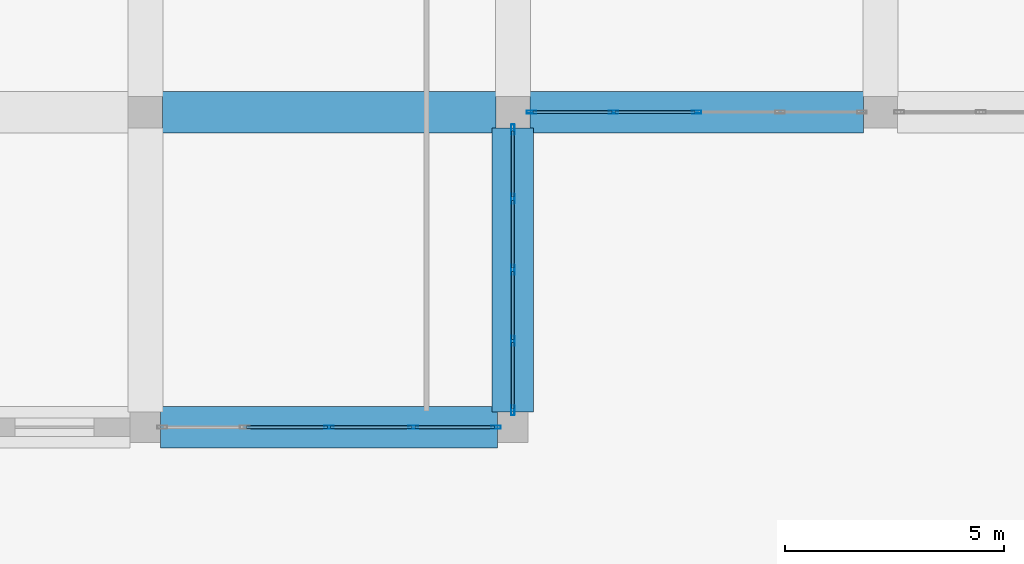
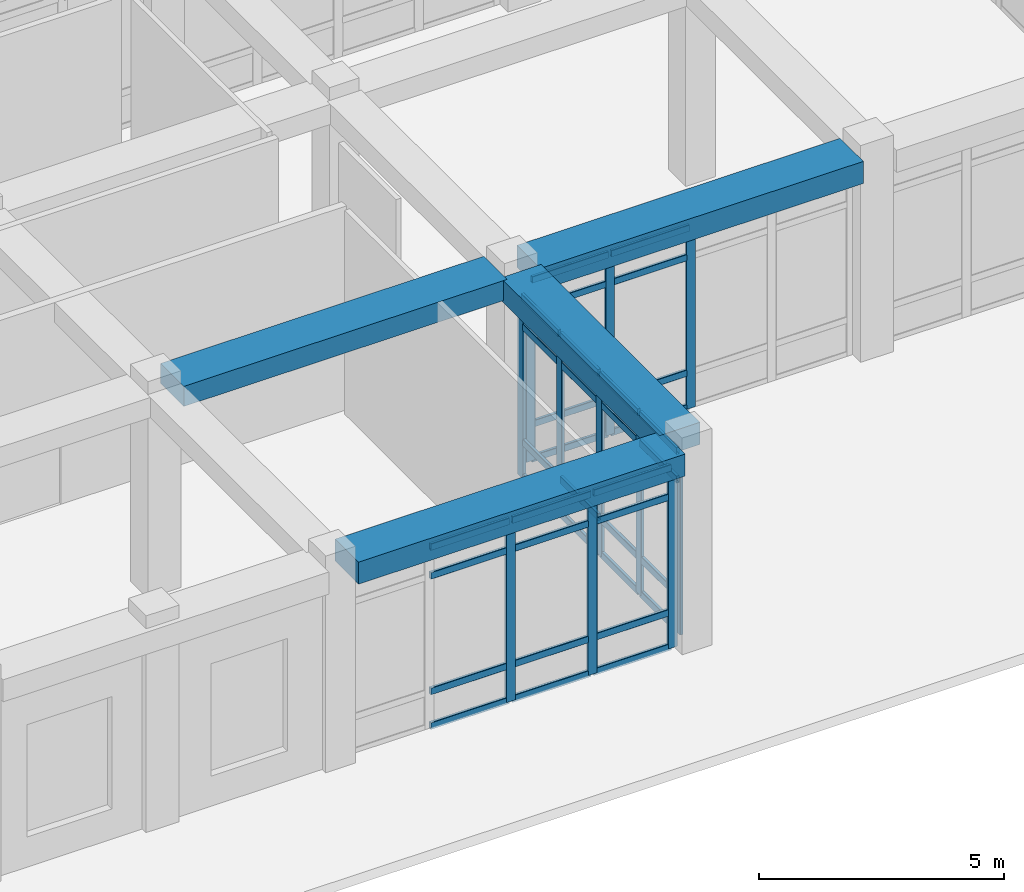
# One storey, part 44 of 84: 47 members, 4 beams, 3 elements without a shape of their own.
"""IFC4 building model written with IfcOpenShell, lengths in metres."""

from ifc_helpers import new_model, si_unit, derived_unit, direction, frame, origin, origin_2d, place, context, subcontext, project, spatial, rectangle, hollow_rectangle, extrude, material, material_profile, profile_set, type_object, element, aggregate, save


model = new_model("IFC4")

# Units and contexts
model_context = context("Model", 3, precision=1e-05, world=origin(), true_north=direction((0.0, 1.0)))
body_context = subcontext(model_context, "Body", "Model", "MODEL_VIEW")
ifc_project = project(units=[si_unit("LENGTHUNIT", "METRE"), si_unit("AREAUNIT", "SQUARE_METRE"), si_unit("VOLUMEUNIT", "CUBIC_METRE"), si_unit("PLANEANGLEUNIT", "RADIAN"), si_unit("MASSUNIT", "GRAM", prefix="KILO"), derived_unit("THERMALTRANSMITTANCEUNIT", [(si_unit("POWERUNIT", "WATT"), 1), (si_unit("LENGTHUNIT", "METRE"), -2), (si_unit("THERMODYNAMICTEMPERATUREUNIT", "KELVIN"), -1)])], contexts=[model_context])

# Site, building, storey
site_placement = place(None, origin())
site = spatial("IfcSite", under=ifc_project, at=site_placement, CompositionType="ELEMENT")
building_placement = place(site_placement, origin())
building = spatial("IfcBuilding", under=site, at=building_placement, Name="Veybourne Emporium", CompositionType="ELEMENT")
storey_placement = place(building_placement, origin())
storey = spatial("IfcBuildingStorey", under=building, at=storey_placement, Name="L00", CompositionType="ELEMENT", Elevation=0.0)

# Curtain wall, members
ifc_material_1 = material(Name="Patinated Architectural Bronze", Category="bronze")
curtain_wall_type_1 = type_object("IfcCurtainWallType", Name="CWSystem_CWS-17", PredefinedType="NOTDEFINED", material=ifc_material_1)
curtain_wall_1_placement = place(storey_placement, origin())
curtain_wall_1 = element("IfcCurtainWall", 1, at=curtain_wall_1_placement, inside=storey, type_object=curtain_wall_type_1, Name="L00 bronze glazed curtain wall CWS-17 (070)", PredefinedType="NOTDEFINED")
ifc_material_profile_1 = material_profile(ifc_material_1, hollow_rectangle(XDim=0.072021484375, YDim=0.22509765625, WallThickness=0.0048828125, InnerFilletRadius=0.007568359375, OuterFilletRadius=0.012451171875, at=origin_2d()), Name="CWM 72x225x5")
ifc_profile_set_1 = profile_set([ifc_material_profile_1], Name="Patinated Architectural Bronze")
member_type_1 = type_object("IfcMemberType", Name="CWMullion_CW-M1", PredefinedType="MULLION", material=ifc_profile_set_1)
member_1_placement = place(storey_placement, frame((150.81396484375, 0.0, 0.0), z_axis=(0.0, 0.0, 1.0), x_axis=(0.0, -1.0, 0.0)))
member_1 = element("IfcMember", 2, at=member_1_placement, type_object=member_type_1, Name="CWS-17 mullion 1", PredefinedType="MULLION", context=body_context, shape_type="SweptSolid", body=[
    extrude(hollow_rectangle(XDim=0.072021484375, YDim=0.22509765625, WallThickness=0.0048828125, InnerFilletRadius=0.007568359375, OuterFilletRadius=0.012451171875, at=origin_2d()), origin(), (0.0, 0.0, 1.0), 4.530029296875),
])
member_2_placement = place(storey_placement, frame((148.925048828125, 0.0, 0.0), z_axis=(0.0, 0.0, 1.0), x_axis=(0.0, -1.0, 0.0)))
member_2 = element("IfcMember", 3, at=member_2_placement, type_object=member_type_1, Name="CWS-17 mullion 2", PredefinedType="MULLION", context=body_context, shape_type="SweptSolid", body=[
    extrude(hollow_rectangle(XDim=0.072021484375, YDim=0.22509765625, WallThickness=0.0048828125, InnerFilletRadius=0.007568359375, OuterFilletRadius=0.012451171875, at=origin_2d()), origin(), (0.0, 0.0, 1.0), 4.530029296875),
])
member_3_placement = place(storey_placement, frame((147.0, 0.0, 0.0), z_axis=(0.0, 0.0, 1.0), x_axis=(0.0, -1.0, 0.0)))
member_3 = element("IfcMember", 4, at=member_3_placement, type_object=member_type_1, Name="CWS-17 mullion 3", PredefinedType="MULLION", context=body_context, shape_type="SweptSolid", body=[
    extrude(hollow_rectangle(XDim=0.072021484375, YDim=0.22509765625, WallThickness=0.0048828125, InnerFilletRadius=0.007568359375, OuterFilletRadius=0.012451171875, at=origin_2d()), origin(), (0.0, 0.0, 1.0), 4.530029296875),
])

curtain_wall_type_2 = type_object("IfcCurtainWallType", Name="CWSystem_CWS-18", PredefinedType="NOTDEFINED", material=ifc_material_1)
curtain_wall_2_placement = place(storey_placement, origin())
curtain_wall_2 = element("IfcCurtainWall", 5, at=curtain_wall_2_placement, inside=storey, type_object=curtain_wall_type_2, Name="L00 bronze glazed curtain wall CWS-18 (071)", PredefinedType="NOTDEFINED")
ifc_material_profile_2 = material_profile(ifc_material_1, hollow_rectangle(XDim=0.074951171875, YDim=0.22998046875, WallThickness=0.0048828125, InnerFilletRadius=0.007568359375, OuterFilletRadius=0.012451171875, at=origin_2d()), Name="CWM 75x230x5")
ifc_profile_set_2 = profile_set([ifc_material_profile_2], Name="Patinated Architectural Bronze")
member_type_2 = type_object("IfcMemberType", Name="CWMullion_CW-M2", PredefinedType="MULLION", material=ifc_profile_set_2)
member_4_placement = place(storey_placement, frame((151.199951171875, 6.802490234375, 0.0), z_axis=(0.0, 0.0, 1.0), x_axis=(1.0, 0.0, 0.0)))
member_4 = element("IfcMember", 6, at=member_4_placement, type_object=member_type_2, Name="CWS-18 mullion 1", PredefinedType="MULLION", context=body_context, shape_type="SweptSolid", body=[
    extrude(hollow_rectangle(XDim=0.074951171875, YDim=0.22998046875, WallThickness=0.0048828125, InnerFilletRadius=0.007568359375, OuterFilletRadius=0.012451171875, at=origin_2d()), origin(), (0.0, 0.0, 1.0), 4.530029296875),
])
member_5_placement = place(storey_placement, frame((151.199951171875, 5.217529296875, 0.0), z_axis=(0.0, 0.0, 1.0), x_axis=(1.0, 0.0, 0.0)))
member_5 = element("IfcMember", 7, at=member_5_placement, type_object=member_type_2, Name="CWS-18 mullion 2", PredefinedType="MULLION", context=body_context, shape_type="SweptSolid", body=[
    extrude(hollow_rectangle(XDim=0.074951171875, YDim=0.22998046875, WallThickness=0.0048828125, InnerFilletRadius=0.007568359375, OuterFilletRadius=0.012451171875, at=origin_2d()), origin(), (0.0, 0.0, 1.0), 4.530029296875),
])
member_6_placement = place(storey_placement, frame((151.199951171875, 3.594970703125, 0.0), z_axis=(0.0, 0.0, 1.0), x_axis=(1.0, 0.0, 0.0)))
member_6 = element("IfcMember", 8, at=member_6_placement, type_object=member_type_2, Name="CWS-18 mullion 3", PredefinedType="MULLION", context=body_context, shape_type="SweptSolid", body=[
    extrude(hollow_rectangle(XDim=0.074951171875, YDim=0.22998046875, WallThickness=0.0048828125, InnerFilletRadius=0.007568359375, OuterFilletRadius=0.012451171875, at=origin_2d()), origin(), (0.0, 0.0, 1.0), 4.530029296875),
])
member_7_placement = place(storey_placement, frame((151.199951171875, 1.972412109375, 0.0), z_axis=(0.0, 0.0, 1.0), x_axis=(1.0, 0.0, 0.0)))
member_7 = element("IfcMember", 9, at=member_7_placement, type_object=member_type_2, Name="CWS-18 mullion 4", PredefinedType="MULLION", context=body_context, shape_type="SweptSolid", body=[
    extrude(hollow_rectangle(XDim=0.074951171875, YDim=0.22998046875, WallThickness=0.0048828125, InnerFilletRadius=0.007568359375, OuterFilletRadius=0.012451171875, at=origin_2d()), origin(), (0.0, 0.0, 1.0), 4.530029296875),
])
member_8_placement = place(storey_placement, frame((151.199951171875, 0.387451171875, 0.0), z_axis=(0.0, 0.0, 1.0), x_axis=(1.0, 0.0, 0.0)))
member_8 = element("IfcMember", 10, at=member_8_placement, type_object=member_type_2, Name="CWS-18 mullion 5", PredefinedType="MULLION", context=body_context, shape_type="SweptSolid", body=[
    extrude(hollow_rectangle(XDim=0.074951171875, YDim=0.22998046875, WallThickness=0.0048828125, InnerFilletRadius=0.007568359375, OuterFilletRadius=0.012451171875, at=origin_2d()), origin(), (0.0, 0.0, 1.0), 4.530029296875),
])

curtain_wall_type_3 = type_object("IfcCurtainWallType", Name="CWSystem_CWS-20", PredefinedType="NOTDEFINED", material=ifc_material_1)
curtain_wall_3_placement = place(storey_placement, origin())
curtain_wall_3 = element("IfcCurtainWall", 11, at=curtain_wall_3_placement, inside=storey, type_object=curtain_wall_type_3, Name="L00 bronze glazed curtain wall CWS-20 (073)", PredefinedType="NOTDEFINED")
ifc_material_profile_3 = material_profile(ifc_material_1, hollow_rectangle(XDim=0.070068359375, YDim=0.219970703125, WallThickness=0.0048828125, InnerFilletRadius=0.007568359375, OuterFilletRadius=0.012451171875, at=origin_2d()), Name="CWM 70x220x5")
ifc_profile_set_3 = profile_set([ifc_material_profile_3], Name="Patinated Architectural Bronze")
member_type_3 = type_object("IfcMemberType", Name="CWMullion_CW-M4", PredefinedType="MULLION", material=ifc_profile_set_3)
member_9_placement = place(storey_placement, frame((155.39990234375, 7.199951171875, 0.0), z_axis=(0.0, 0.0, 1.0), x_axis=(0.0, -1.0, 0.0)))
member_9 = element("IfcMember", 12, at=member_9_placement, type_object=member_type_3, Name="CWS-20 mullion 3", PredefinedType="MULLION", context=body_context, shape_type="SweptSolid", body=[
    extrude(hollow_rectangle(XDim=0.070068359375, YDim=0.219970703125, WallThickness=0.0048828125, InnerFilletRadius=0.007568359375, OuterFilletRadius=0.012451171875, at=origin_2d()), origin(), (0.0, 0.0, 1.0), 4.530029296875),
])
member_10_placement = place(storey_placement, frame((153.4951171875, 7.199951171875, 0.0), z_axis=(0.0, 0.0, 1.0), x_axis=(0.0, -1.0, 0.0)))
member_10 = element("IfcMember", 13, at=member_10_placement, type_object=member_type_3, Name="CWS-20 mullion 4", PredefinedType="MULLION", context=body_context, shape_type="SweptSolid", body=[
    extrude(hollow_rectangle(XDim=0.070068359375, YDim=0.219970703125, WallThickness=0.0048828125, InnerFilletRadius=0.007568359375, OuterFilletRadius=0.012451171875, at=origin_2d()), origin(), (0.0, 0.0, 1.0), 4.530029296875),
])
member_11_placement = place(storey_placement, frame((151.625, 7.199951171875, 0.0), z_axis=(0.0, 0.0, 1.0), x_axis=(0.0, -1.0, 0.0)))
member_11 = element("IfcMember", 14, at=member_11_placement, type_object=member_type_3, Name="CWS-20 mullion 5", PredefinedType="MULLION", context=body_context, shape_type="SweptSolid", body=[
    extrude(hollow_rectangle(XDim=0.070068359375, YDim=0.219970703125, WallThickness=0.0048828125, InnerFilletRadius=0.007568359375, OuterFilletRadius=0.012451171875, at=origin_2d()), origin(), (0.0, 0.0, 1.0), 4.530029296875),
])

# Member
ifc_material_profile_4 = material_profile(ifc_material_1, hollow_rectangle(XDim=0.072021484375, YDim=0.175048828125, WallThickness=0.0048828125, InnerFilletRadius=0.007568359375, OuterFilletRadius=0.012451171875, at=origin_2d()), Name="CWT 72x175x5")
ifc_profile_set_4 = profile_set([ifc_material_profile_4], Name="Patinated Architectural Bronze")
member_type_4 = type_object("IfcMemberType", Name="CWTransom_CW-T1", PredefinedType="NOTDEFINED", material=ifc_profile_set_4)
member_12_placement = place(storey_placement, frame((150.778076171875, 0.0, 0.035888671875), z_axis=(-1.0, 0.0, 0.0), x_axis=(0.0, -1.0, 0.0)))
member_12 = element("IfcMember", 15, at=member_12_placement, type_object=member_type_4, Name="CWS-17 transom 1.1", ObjectType="TRANSOM", PredefinedType="USERDEFINED", context=body_context, shape_type="SweptSolid", body=[
    extrude(hollow_rectangle(XDim=0.072021484375, YDim=0.175048828125, WallThickness=0.0048828125, InnerFilletRadius=0.007568359375, OuterFilletRadius=0.012451171875, at=origin_2d()), origin(), (0.0, 0.0, 1.0), 1.817138671875),
])

member_13_placement = place(storey_placement, frame((150.778076171875, 0.0, 0.89990234375), z_axis=(-1.0, 0.0, 0.0), x_axis=(0.0, -1.0, 0.0)))
member_13 = element("IfcMember", 16, at=member_13_placement, type_object=member_type_4, Name="CWS-17 transom 1.2", ObjectType="TRANSOM", PredefinedType="USERDEFINED", context=body_context, shape_type="SweptSolid", body=[
    extrude(hollow_rectangle(XDim=0.072021484375, YDim=0.175048828125, WallThickness=0.0048828125, InnerFilletRadius=0.007568359375, OuterFilletRadius=0.012451171875, at=origin_2d()), origin(), (0.0, 0.0, 1.0), 1.817138671875),
])

member_14_placement = place(storey_placement, frame((150.778076171875, 0.0, 3.780029296875), z_axis=(-1.0, 0.0, 0.0), x_axis=(0.0, -1.0, 0.0)))
member_14 = element("IfcMember", 17, at=member_14_placement, type_object=member_type_4, Name="CWS-17 transom 1.3", ObjectType="TRANSOM", PredefinedType="USERDEFINED", context=body_context, shape_type="SweptSolid", body=[
    extrude(hollow_rectangle(XDim=0.072021484375, YDim=0.175048828125, WallThickness=0.0048828125, InnerFilletRadius=0.007568359375, OuterFilletRadius=0.012451171875, at=origin_2d()), origin(), (0.0, 0.0, 1.0), 1.817138671875),
])

member_15_placement = place(storey_placement, frame((150.778076171875, 0.0, 4.493896484375), z_axis=(-1.0, 0.0, 0.0), x_axis=(0.0, -1.0, 0.0)))
member_15 = element("IfcMember", 18, at=member_15_placement, type_object=member_type_4, Name="CWS-17 transom 1.4", ObjectType="TRANSOM", PredefinedType="USERDEFINED", context=body_context, shape_type="SweptSolid", body=[
    extrude(hollow_rectangle(XDim=0.072021484375, YDim=0.175048828125, WallThickness=0.0048828125, InnerFilletRadius=0.007568359375, OuterFilletRadius=0.012451171875, at=origin_2d()), origin(), (0.0, 0.0, 1.0), 1.817138671875),
])

member_16_placement = place(storey_placement, frame((148.888916015625, 0.0, 0.035888671875), z_axis=(-1.0, 0.0, 0.0), x_axis=(0.0, -1.0, 0.0)))
member_16 = element("IfcMember", 19, at=member_16_placement, type_object=member_type_4, Name="CWS-17 transom 2.1", ObjectType="TRANSOM", PredefinedType="USERDEFINED", context=body_context, shape_type="SweptSolid", body=[
    extrude(hollow_rectangle(XDim=0.072021484375, YDim=0.175048828125, WallThickness=0.0048828125, InnerFilletRadius=0.007568359375, OuterFilletRadius=0.012451171875, at=origin_2d()), origin(), (0.0, 0.0, 1.0), 1.85302734375),
])

member_17_placement = place(storey_placement, frame((148.888916015625, 0.0, 0.89990234375), z_axis=(-1.0, 0.0, 0.0), x_axis=(0.0, -1.0, 0.0)))
member_17 = element("IfcMember", 20, at=member_17_placement, type_object=member_type_4, Name="CWS-17 transom 2.2", ObjectType="TRANSOM", PredefinedType="USERDEFINED", context=body_context, shape_type="SweptSolid", body=[
    extrude(hollow_rectangle(XDim=0.072021484375, YDim=0.175048828125, WallThickness=0.0048828125, InnerFilletRadius=0.007568359375, OuterFilletRadius=0.012451171875, at=origin_2d()), origin(), (0.0, 0.0, 1.0), 1.85302734375),
])

member_18_placement = place(storey_placement, frame((148.888916015625, 0.0, 3.780029296875), z_axis=(-1.0, 0.0, 0.0), x_axis=(0.0, -1.0, 0.0)))
member_18 = element("IfcMember", 21, at=member_18_placement, type_object=member_type_4, Name="CWS-17 transom 2.3", ObjectType="TRANSOM", PredefinedType="USERDEFINED", context=body_context, shape_type="SweptSolid", body=[
    extrude(hollow_rectangle(XDim=0.072021484375, YDim=0.175048828125, WallThickness=0.0048828125, InnerFilletRadius=0.007568359375, OuterFilletRadius=0.012451171875, at=origin_2d()), origin(), (0.0, 0.0, 1.0), 1.85302734375),
])

member_19_placement = place(storey_placement, frame((148.888916015625, 0.0, 4.493896484375), z_axis=(-1.0, 0.0, 0.0), x_axis=(0.0, -1.0, 0.0)))
member_19 = element("IfcMember", 22, at=member_19_placement, type_object=member_type_4, Name="CWS-17 transom 2.4", ObjectType="TRANSOM", PredefinedType="USERDEFINED", context=body_context, shape_type="SweptSolid", body=[
    extrude(hollow_rectangle(XDim=0.072021484375, YDim=0.175048828125, WallThickness=0.0048828125, InnerFilletRadius=0.007568359375, OuterFilletRadius=0.012451171875, at=origin_2d()), origin(), (0.0, 0.0, 1.0), 1.85302734375),
])

member_20_placement = place(storey_placement, frame((146.964111328125, 0.0, 0.035888671875), z_axis=(-1.0, 0.0, 0.0), x_axis=(0.0, -1.0, 0.0)))
member_20 = element("IfcMember", 23, at=member_20_placement, type_object=member_type_4, Name="CWS-17 transom 3.1", ObjectType="TRANSOM", PredefinedType="USERDEFINED", context=body_context, shape_type="SweptSolid", body=[
    extrude(hollow_rectangle(XDim=0.072021484375, YDim=0.175048828125, WallThickness=0.0048828125, InnerFilletRadius=0.007568359375, OuterFilletRadius=0.012451171875, at=origin_2d()), origin(), (0.0, 0.0, 1.0), 1.85302734375),
])

member_21_placement = place(storey_placement, frame((146.964111328125, 0.0, 0.89990234375), z_axis=(-1.0, 0.0, 0.0), x_axis=(0.0, -1.0, 0.0)))
member_21 = element("IfcMember", 24, at=member_21_placement, type_object=member_type_4, Name="CWS-17 transom 3.2", ObjectType="TRANSOM", PredefinedType="USERDEFINED", context=body_context, shape_type="SweptSolid", body=[
    extrude(hollow_rectangle(XDim=0.072021484375, YDim=0.175048828125, WallThickness=0.0048828125, InnerFilletRadius=0.007568359375, OuterFilletRadius=0.012451171875, at=origin_2d()), origin(), (0.0, 0.0, 1.0), 1.85302734375),
])

member_22_placement = place(storey_placement, frame((146.964111328125, 0.0, 3.780029296875), z_axis=(-1.0, 0.0, 0.0), x_axis=(0.0, -1.0, 0.0)))
member_22 = element("IfcMember", 25, at=member_22_placement, type_object=member_type_4, Name="CWS-17 transom 3.3", ObjectType="TRANSOM", PredefinedType="USERDEFINED", context=body_context, shape_type="SweptSolid", body=[
    extrude(hollow_rectangle(XDim=0.072021484375, YDim=0.175048828125, WallThickness=0.0048828125, InnerFilletRadius=0.007568359375, OuterFilletRadius=0.012451171875, at=origin_2d()), origin(), (0.0, 0.0, 1.0), 1.85302734375),
])

member_23_placement = place(storey_placement, frame((146.964111328125, 0.0, 4.493896484375), z_axis=(-1.0, 0.0, 0.0), x_axis=(0.0, -1.0, 0.0)))
member_23 = element("IfcMember", 26, at=member_23_placement, type_object=member_type_4, Name="CWS-17 transom 3.4", ObjectType="TRANSOM", PredefinedType="USERDEFINED", context=body_context, shape_type="SweptSolid", body=[
    extrude(hollow_rectangle(XDim=0.072021484375, YDim=0.175048828125, WallThickness=0.0048828125, InnerFilletRadius=0.007568359375, OuterFilletRadius=0.012451171875, at=origin_2d()), origin(), (0.0, 0.0, 1.0), 1.85302734375),
])

aggregate(curtain_wall_1, [member_1, member_2, member_3, member_12, member_13, member_14, member_15, member_16, member_17, member_18, member_19, member_20, member_21, member_22, member_23])

ifc_material_profile_5 = material_profile(ifc_material_1, hollow_rectangle(XDim=0.074951171875, YDim=0.179931640625, WallThickness=0.0048828125, InnerFilletRadius=0.007568359375, OuterFilletRadius=0.012451171875, at=origin_2d()), Name="CWT 75x180x5")
ifc_profile_set_5 = profile_set([ifc_material_profile_5], Name="Patinated Architectural Bronze")
member_type_5 = type_object("IfcMemberType", Name="CWTransom_CW-T2", PredefinedType="NOTDEFINED", material=ifc_profile_set_5)
member_24_placement = place(storey_placement, frame((151.199951171875, 6.764892578125, 0.03759765625), z_axis=(0.0, -1.0, 0.0), x_axis=(1.0, 0.0, 0.0)))
member_24 = element("IfcMember", 27, at=member_24_placement, type_object=member_type_5, Name="CWS-18 transom 1.1", ObjectType="TRANSOM", PredefinedType="USERDEFINED", context=body_context, shape_type="SweptSolid", body=[
    extrude(hollow_rectangle(XDim=0.074951171875, YDim=0.179931640625, WallThickness=0.0048828125, InnerFilletRadius=0.007568359375, OuterFilletRadius=0.012451171875, at=origin_2d()), origin(), (0.0, 0.0, 1.0), 1.510009765625),
])

member_25_placement = place(storey_placement, frame((151.199951171875, 6.764892578125, 0.89990234375), z_axis=(0.0, -1.0, 0.0), x_axis=(1.0, 0.0, 0.0)))
member_25 = element("IfcMember", 28, at=member_25_placement, type_object=member_type_5, Name="CWS-18 transom 1.2", ObjectType="TRANSOM", PredefinedType="USERDEFINED", context=body_context, shape_type="SweptSolid", body=[
    extrude(hollow_rectangle(XDim=0.074951171875, YDim=0.179931640625, WallThickness=0.0048828125, InnerFilletRadius=0.007568359375, OuterFilletRadius=0.012451171875, at=origin_2d()), origin(), (0.0, 0.0, 1.0), 1.510009765625),
])

member_26_placement = place(storey_placement, frame((151.199951171875, 6.764892578125, 3.780029296875), z_axis=(0.0, -1.0, 0.0), x_axis=(1.0, 0.0, 0.0)))
member_26 = element("IfcMember", 29, at=member_26_placement, type_object=member_type_5, Name="CWS-18 transom 1.3", ObjectType="TRANSOM", PredefinedType="USERDEFINED", context=body_context, shape_type="SweptSolid", body=[
    extrude(hollow_rectangle(XDim=0.074951171875, YDim=0.179931640625, WallThickness=0.0048828125, InnerFilletRadius=0.007568359375, OuterFilletRadius=0.012451171875, at=origin_2d()), origin(), (0.0, 0.0, 1.0), 1.510009765625),
])

member_27_placement = place(storey_placement, frame((151.199951171875, 6.764892578125, 4.492431640625), z_axis=(0.0, -1.0, 0.0), x_axis=(1.0, 0.0, 0.0)))
member_27 = element("IfcMember", 30, at=member_27_placement, type_object=member_type_5, Name="CWS-18 transom 1.4", ObjectType="TRANSOM", PredefinedType="USERDEFINED", context=body_context, shape_type="SweptSolid", body=[
    extrude(hollow_rectangle(XDim=0.074951171875, YDim=0.179931640625, WallThickness=0.0048828125, InnerFilletRadius=0.007568359375, OuterFilletRadius=0.012451171875, at=origin_2d()), origin(), (0.0, 0.0, 1.0), 1.510009765625),
])

member_28_placement = place(storey_placement, frame((151.199951171875, 5.179931640625, 0.03759765625), z_axis=(0.0, -1.0, 0.0), x_axis=(1.0, 0.0, 0.0)))
member_28 = element("IfcMember", 31, at=member_28_placement, type_object=member_type_5, Name="CWS-18 transom 2.1", ObjectType="TRANSOM", PredefinedType="USERDEFINED", context=body_context, shape_type="SweptSolid", body=[
    extrude(hollow_rectangle(XDim=0.074951171875, YDim=0.179931640625, WallThickness=0.0048828125, InnerFilletRadius=0.007568359375, OuterFilletRadius=0.012451171875, at=origin_2d()), origin(), (0.0, 0.0, 1.0), 1.54736328125),
])

member_29_placement = place(storey_placement, frame((151.199951171875, 5.179931640625, 0.89990234375), z_axis=(0.0, -1.0, 0.0), x_axis=(1.0, 0.0, 0.0)))
member_29 = element("IfcMember", 32, at=member_29_placement, type_object=member_type_5, Name="CWS-18 transom 2.2", ObjectType="TRANSOM", PredefinedType="USERDEFINED", context=body_context, shape_type="SweptSolid", body=[
    extrude(hollow_rectangle(XDim=0.074951171875, YDim=0.179931640625, WallThickness=0.0048828125, InnerFilletRadius=0.007568359375, OuterFilletRadius=0.012451171875, at=origin_2d()), origin(), (0.0, 0.0, 1.0), 1.54736328125),
])

member_30_placement = place(storey_placement, frame((151.199951171875, 5.179931640625, 3.780029296875), z_axis=(0.0, -1.0, 0.0), x_axis=(1.0, 0.0, 0.0)))
member_30 = element("IfcMember", 33, at=member_30_placement, type_object=member_type_5, Name="CWS-18 transom 2.3", ObjectType="TRANSOM", PredefinedType="USERDEFINED", context=body_context, shape_type="SweptSolid", body=[
    extrude(hollow_rectangle(XDim=0.074951171875, YDim=0.179931640625, WallThickness=0.0048828125, InnerFilletRadius=0.007568359375, OuterFilletRadius=0.012451171875, at=origin_2d()), origin(), (0.0, 0.0, 1.0), 1.54736328125),
])

member_31_placement = place(storey_placement, frame((151.199951171875, 5.179931640625, 4.492431640625), z_axis=(0.0, -1.0, 0.0), x_axis=(1.0, 0.0, 0.0)))
member_31 = element("IfcMember", 34, at=member_31_placement, type_object=member_type_5, Name="CWS-18 transom 2.4", ObjectType="TRANSOM", PredefinedType="USERDEFINED", context=body_context, shape_type="SweptSolid", body=[
    extrude(hollow_rectangle(XDim=0.074951171875, YDim=0.179931640625, WallThickness=0.0048828125, InnerFilletRadius=0.007568359375, OuterFilletRadius=0.012451171875, at=origin_2d()), origin(), (0.0, 0.0, 1.0), 1.54736328125),
])

member_32_placement = place(storey_placement, frame((151.199951171875, 3.5576171875, 0.03759765625), z_axis=(0.0, -1.0, 0.0), x_axis=(1.0, 0.0, 0.0)))
member_32 = element("IfcMember", 35, at=member_32_placement, type_object=member_type_5, Name="CWS-18 transom 3.1", ObjectType="TRANSOM", PredefinedType="USERDEFINED", context=body_context, shape_type="SweptSolid", body=[
    extrude(hollow_rectangle(XDim=0.074951171875, YDim=0.179931640625, WallThickness=0.0048828125, InnerFilletRadius=0.007568359375, OuterFilletRadius=0.012451171875, at=origin_2d()), origin(), (0.0, 0.0, 1.0), 1.547607421875),
])

member_33_placement = place(storey_placement, frame((151.199951171875, 3.5576171875, 0.89990234375), z_axis=(0.0, -1.0, 0.0), x_axis=(1.0, 0.0, 0.0)))
member_33 = element("IfcMember", 36, at=member_33_placement, type_object=member_type_5, Name="CWS-18 transom 3.2", ObjectType="TRANSOM", PredefinedType="USERDEFINED", context=body_context, shape_type="SweptSolid", body=[
    extrude(hollow_rectangle(XDim=0.074951171875, YDim=0.179931640625, WallThickness=0.0048828125, InnerFilletRadius=0.007568359375, OuterFilletRadius=0.012451171875, at=origin_2d()), origin(), (0.0, 0.0, 1.0), 1.547607421875),
])

member_34_placement = place(storey_placement, frame((151.199951171875, 3.5576171875, 3.780029296875), z_axis=(0.0, -1.0, 0.0), x_axis=(1.0, 0.0, 0.0)))
member_34 = element("IfcMember", 37, at=member_34_placement, type_object=member_type_5, Name="CWS-18 transom 3.3", ObjectType="TRANSOM", PredefinedType="USERDEFINED", context=body_context, shape_type="SweptSolid", body=[
    extrude(hollow_rectangle(XDim=0.074951171875, YDim=0.179931640625, WallThickness=0.0048828125, InnerFilletRadius=0.007568359375, OuterFilletRadius=0.012451171875, at=origin_2d()), origin(), (0.0, 0.0, 1.0), 1.547607421875),
])

member_35_placement = place(storey_placement, frame((151.199951171875, 3.5576171875, 4.492431640625), z_axis=(0.0, -1.0, 0.0), x_axis=(1.0, 0.0, 0.0)))
member_35 = element("IfcMember", 38, at=member_35_placement, type_object=member_type_5, Name="CWS-18 transom 3.4", ObjectType="TRANSOM", PredefinedType="USERDEFINED", context=body_context, shape_type="SweptSolid", body=[
    extrude(hollow_rectangle(XDim=0.074951171875, YDim=0.179931640625, WallThickness=0.0048828125, InnerFilletRadius=0.007568359375, OuterFilletRadius=0.012451171875, at=origin_2d()), origin(), (0.0, 0.0, 1.0), 1.547607421875),
])

member_36_placement = place(storey_placement, frame((151.199951171875, 1.93505859375, 0.03759765625), z_axis=(0.0, -1.0, 0.0), x_axis=(1.0, 0.0, 0.0)))
member_36 = element("IfcMember", 39, at=member_36_placement, type_object=member_type_5, Name="CWS-18 transom 4.1", ObjectType="TRANSOM", PredefinedType="USERDEFINED", context=body_context, shape_type="SweptSolid", body=[
    extrude(hollow_rectangle(XDim=0.074951171875, YDim=0.179931640625, WallThickness=0.0048828125, InnerFilletRadius=0.007568359375, OuterFilletRadius=0.012451171875, at=origin_2d()), origin(), (0.0, 0.0, 1.0), 1.510009765625),
])

member_37_placement = place(storey_placement, frame((151.199951171875, 1.93505859375, 0.89990234375), z_axis=(0.0, -1.0, 0.0), x_axis=(1.0, 0.0, 0.0)))
member_37 = element("IfcMember", 40, at=member_37_placement, type_object=member_type_5, Name="CWS-18 transom 4.2", ObjectType="TRANSOM", PredefinedType="USERDEFINED", context=body_context, shape_type="SweptSolid", body=[
    extrude(hollow_rectangle(XDim=0.074951171875, YDim=0.179931640625, WallThickness=0.0048828125, InnerFilletRadius=0.007568359375, OuterFilletRadius=0.012451171875, at=origin_2d()), origin(), (0.0, 0.0, 1.0), 1.510009765625),
])

member_38_placement = place(storey_placement, frame((151.199951171875, 1.93505859375, 3.780029296875), z_axis=(0.0, -1.0, 0.0), x_axis=(1.0, 0.0, 0.0)))
member_38 = element("IfcMember", 41, at=member_38_placement, type_object=member_type_5, Name="CWS-18 transom 4.3", ObjectType="TRANSOM", PredefinedType="USERDEFINED", context=body_context, shape_type="SweptSolid", body=[
    extrude(hollow_rectangle(XDim=0.074951171875, YDim=0.179931640625, WallThickness=0.0048828125, InnerFilletRadius=0.007568359375, OuterFilletRadius=0.012451171875, at=origin_2d()), origin(), (0.0, 0.0, 1.0), 1.510009765625),
])

member_39_placement = place(storey_placement, frame((151.199951171875, 1.93505859375, 4.492431640625), z_axis=(0.0, -1.0, 0.0), x_axis=(1.0, 0.0, 0.0)))
member_39 = element("IfcMember", 42, at=member_39_placement, type_object=member_type_5, Name="CWS-18 transom 4.4", ObjectType="TRANSOM", PredefinedType="USERDEFINED", context=body_context, shape_type="SweptSolid", body=[
    extrude(hollow_rectangle(XDim=0.074951171875, YDim=0.179931640625, WallThickness=0.0048828125, InnerFilletRadius=0.007568359375, OuterFilletRadius=0.012451171875, at=origin_2d()), origin(), (0.0, 0.0, 1.0), 1.510009765625),
])

aggregate(curtain_wall_2, [member_4, member_5, member_6, member_7, member_8, member_24, member_25, member_26, member_27, member_28, member_29, member_30, member_31, member_32, member_33, member_34, member_35, member_36, member_37, member_38, member_39])

ifc_material_profile_6 = material_profile(ifc_material_1, hollow_rectangle(XDim=0.070068359375, YDim=0.169921875, WallThickness=0.0048828125, InnerFilletRadius=0.007568359375, OuterFilletRadius=0.012451171875, at=origin_2d()), Name="CWT 70x170x5")
ifc_profile_set_6 = profile_set([ifc_material_profile_6], Name="Patinated Architectural Bronze")
member_type_6 = type_object("IfcMemberType", Name="CWTransom_CW-T4", PredefinedType="NOTDEFINED", material=ifc_profile_set_6)
member_40_placement = place(storey_placement, frame((155.364990234375, 7.199951171875, 0.034912109375), z_axis=(-1.0, 0.0, 0.0), x_axis=(0.0, -1.0, 0.0)))
member_40 = element("IfcMember", 43, at=member_40_placement, type_object=member_type_6, Name="CWS-20 transom 3.1", ObjectType="TRANSOM", PredefinedType="USERDEFINED", context=body_context, shape_type="SweptSolid", body=[
    extrude(hollow_rectangle(XDim=0.070068359375, YDim=0.169921875, WallThickness=0.0048828125, InnerFilletRadius=0.007568359375, OuterFilletRadius=0.012451171875, at=origin_2d()), origin(), (0.0, 0.0, 1.0), 1.8349609375),
])

member_41_placement = place(storey_placement, frame((155.364990234375, 7.199951171875, 0.89990234375), z_axis=(-1.0, 0.0, 0.0), x_axis=(0.0, -1.0, 0.0)))
member_41 = element("IfcMember", 44, at=member_41_placement, type_object=member_type_6, Name="CWS-20 transom 3.2", ObjectType="TRANSOM", PredefinedType="USERDEFINED", context=body_context, shape_type="SweptSolid", body=[
    extrude(hollow_rectangle(XDim=0.070068359375, YDim=0.169921875, WallThickness=0.0048828125, InnerFilletRadius=0.007568359375, OuterFilletRadius=0.012451171875, at=origin_2d()), origin(), (0.0, 0.0, 1.0), 1.8349609375),
])

member_42_placement = place(storey_placement, frame((155.364990234375, 7.199951171875, 3.780029296875), z_axis=(-1.0, 0.0, 0.0), x_axis=(0.0, -1.0, 0.0)))
member_42 = element("IfcMember", 45, at=member_42_placement, type_object=member_type_6, Name="CWS-20 transom 3.3", ObjectType="TRANSOM", PredefinedType="USERDEFINED", context=body_context, shape_type="SweptSolid", body=[
    extrude(hollow_rectangle(XDim=0.070068359375, YDim=0.169921875, WallThickness=0.0048828125, InnerFilletRadius=0.007568359375, OuterFilletRadius=0.012451171875, at=origin_2d()), origin(), (0.0, 0.0, 1.0), 1.8349609375),
])

member_43_placement = place(storey_placement, frame((155.364990234375, 7.199951171875, 4.4951171875), z_axis=(-1.0, 0.0, 0.0), x_axis=(0.0, -1.0, 0.0)))
member_43 = element("IfcMember", 46, at=member_43_placement, type_object=member_type_6, Name="CWS-20 transom 3.4", ObjectType="TRANSOM", PredefinedType="USERDEFINED", context=body_context, shape_type="SweptSolid", body=[
    extrude(hollow_rectangle(XDim=0.070068359375, YDim=0.169921875, WallThickness=0.0048828125, InnerFilletRadius=0.007568359375, OuterFilletRadius=0.012451171875, at=origin_2d()), origin(), (0.0, 0.0, 1.0), 1.8349609375),
])

member_44_placement = place(storey_placement, frame((153.4599609375, 7.199951171875, 0.034912109375), z_axis=(-1.0, 0.0, 0.0), x_axis=(0.0, -1.0, 0.0)))
member_44 = element("IfcMember", 47, at=member_44_placement, type_object=member_type_6, Name="CWS-20 transom 4.1", ObjectType="TRANSOM", PredefinedType="USERDEFINED", context=body_context, shape_type="SweptSolid", body=[
    extrude(hollow_rectangle(XDim=0.070068359375, YDim=0.169921875, WallThickness=0.0048828125, InnerFilletRadius=0.007568359375, OuterFilletRadius=0.012451171875, at=origin_2d()), origin(), (0.0, 0.0, 1.0), 1.800048828125),
])

member_45_placement = place(storey_placement, frame((153.4599609375, 7.199951171875, 0.89990234375), z_axis=(-1.0, 0.0, 0.0), x_axis=(0.0, -1.0, 0.0)))
member_45 = element("IfcMember", 48, at=member_45_placement, type_object=member_type_6, Name="CWS-20 transom 4.2", ObjectType="TRANSOM", PredefinedType="USERDEFINED", context=body_context, shape_type="SweptSolid", body=[
    extrude(hollow_rectangle(XDim=0.070068359375, YDim=0.169921875, WallThickness=0.0048828125, InnerFilletRadius=0.007568359375, OuterFilletRadius=0.012451171875, at=origin_2d()), origin(), (0.0, 0.0, 1.0), 1.800048828125),
])

member_46_placement = place(storey_placement, frame((153.4599609375, 7.199951171875, 3.780029296875), z_axis=(-1.0, 0.0, 0.0), x_axis=(0.0, -1.0, 0.0)))
member_46 = element("IfcMember", 49, at=member_46_placement, type_object=member_type_6, Name="CWS-20 transom 4.3", ObjectType="TRANSOM", PredefinedType="USERDEFINED", context=body_context, shape_type="SweptSolid", body=[
    extrude(hollow_rectangle(XDim=0.070068359375, YDim=0.169921875, WallThickness=0.0048828125, InnerFilletRadius=0.007568359375, OuterFilletRadius=0.012451171875, at=origin_2d()), origin(), (0.0, 0.0, 1.0), 1.800048828125),
])

member_47_placement = place(storey_placement, frame((153.4599609375, 7.199951171875, 4.4951171875), z_axis=(-1.0, 0.0, 0.0), x_axis=(0.0, -1.0, 0.0)))
member_47 = element("IfcMember", 50, at=member_47_placement, type_object=member_type_6, Name="CWS-20 transom 4.4", ObjectType="TRANSOM", PredefinedType="USERDEFINED", context=body_context, shape_type="SweptSolid", body=[
    extrude(hollow_rectangle(XDim=0.070068359375, YDim=0.169921875, WallThickness=0.0048828125, InnerFilletRadius=0.007568359375, OuterFilletRadius=0.012451171875, at=origin_2d()), origin(), (0.0, 0.0, 1.0), 1.800048828125),
])

aggregate(curtain_wall_3, [member_9, member_10, member_11, member_40, member_41, member_42, member_43, member_44, member_45, member_46, member_47])

# Beams
ifc_material_2 = material(Name="Concrete C32/40", Category="concrete")
ifc_material_profile_7 = material_profile(ifc_material_2, rectangle(XDim=0.949951171875, YDim=0.5, at=origin_2d()), Name="RC 950x500")
ifc_profile_set_7 = profile_set([ifc_material_profile_7], Name="Concrete C32/40")
beam_type_1 = type_object("IfcBeamType", Name="RCBeam_BB-01", PredefinedType="BEAM", material=ifc_profile_set_7)
beam_1_placement = place(storey_placement, frame((143.18994140625, 7.199951171875, 4.830078125), z_axis=(1.0, 0.0, 0.0), x_axis=(0.0, 1.0, 0.0)))
element("IfcBeam", 51, at=beam_1_placement, inside=storey, type_object=beam_type_1, Name="L00 X-grid beam BB-01 (17,1)", PredefinedType="BEAM", context=body_context, shape_type="SweptSolid", body=[
    extrude(rectangle(XDim=0.949951171875, YDim=0.5, at=origin_2d()), origin(), (0.0, 0.0, 1.0), 7.6201171875),
])
ifc_material_profile_8 = material_profile(ifc_material_2, rectangle(XDim=0.949951171875, YDim=0.550048828125, at=origin_2d()), Name="RC 950x550")
ifc_profile_set_8 = profile_set([ifc_material_profile_8], Name="Concrete C32/40")
beam_type_2 = type_object("IfcBeamType", Name="RCBeam_EB-01", PredefinedType="SPANDREL", material=ifc_profile_set_8)
beam_2_placement = place(storey_placement, frame((143.14990234375, 0.0, 4.804931640625), z_axis=(1.0, 0.0, 0.0), x_axis=(0.0, 1.0, 0.0)))
element("IfcBeam", 52, at=beam_2_placement, inside=storey, type_object=beam_type_2, Name="L00 X-grid beam EB-01 (17,0)", PredefinedType="SPANDREL", context=body_context, shape_type="SweptSolid", body=[
    extrude(rectangle(XDim=0.949951171875, YDim=0.550048828125, at=origin_2d()), origin(), (0.0, 0.0, 1.0), 7.7001953125),
])
beam_3_placement = place(storey_placement, frame((151.590087890625, 7.199951171875, 4.804931640625), z_axis=(1.0, 0.0, 0.0), x_axis=(0.0, 1.0, 0.0)))
element("IfcBeam", 53, at=beam_3_placement, inside=storey, type_object=beam_type_2, Name="L00 X-grid beam EB-01 (18,1)", PredefinedType="SPANDREL", context=body_context, shape_type="SweptSolid", body=[
    extrude(rectangle(XDim=0.949951171875, YDim=0.550048828125, at=origin_2d()), origin(), (0.0, 0.0, 1.0), 7.619873046875),
])
beam_4_placement = place(storey_placement, frame((151.199951171875, 0.35009765625, 4.804931640625), z_axis=(0.0, 1.0, 0.0), x_axis=(-1.0, 0.0, 0.0)))
element("IfcBeam", 54, at=beam_4_placement, inside=storey, type_object=beam_type_2, Name="L00 Y-grid beam EB-01 (18,0)", PredefinedType="SPANDREL", context=body_context, shape_type="SweptSolid", body=[
    extrude(rectangle(XDim=0.949951171875, YDim=0.550048828125, at=origin_2d()), origin(), (0.0, 0.0, 1.0), 6.489990234375),
])

save(model, "model.ifc")
